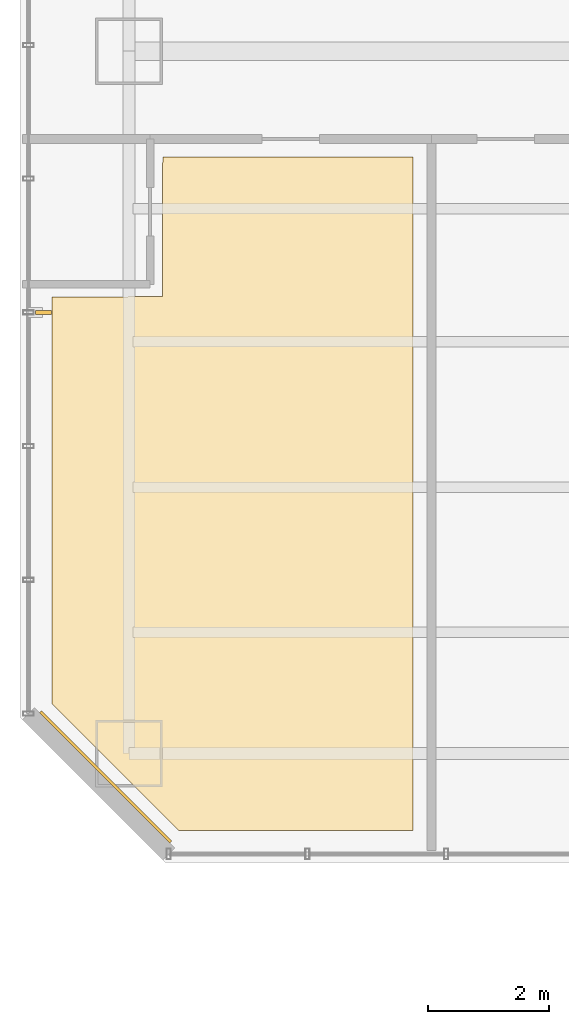
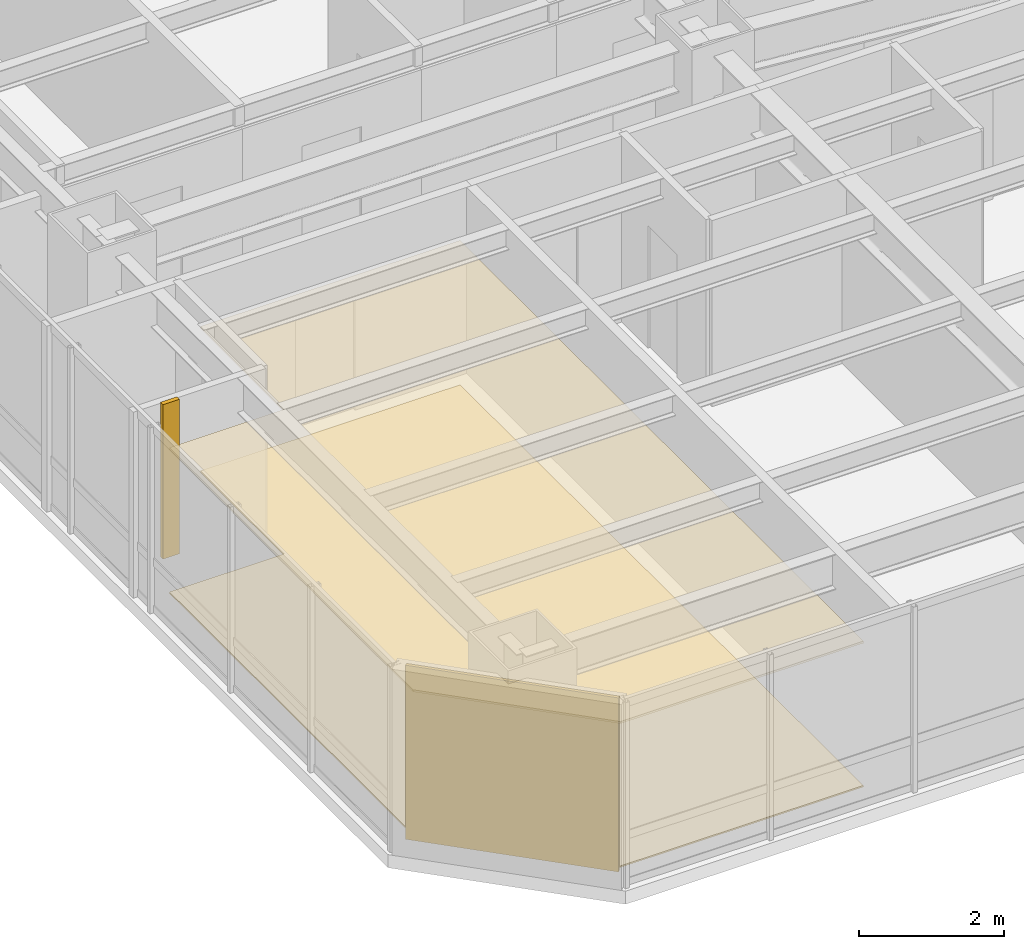
# One storey, part 32 of 38: 3 coverings, 1 shading device.
"""IFC4 building model written with IfcOpenShell, lengths in metres."""

from ifc_helpers import new_model, si_unit, direction, frame, origin, origin_2d, place, context, subcontext, project, spatial, polyline, rectangle, outline, extrude, material, layer, layer_set, type_object, element, save


model = new_model("IFC4")

# Units and contexts
model_context = context("Model", 3, precision=1e-05, world=origin(), true_north=direction((0.0, 1.0)))
body_context = subcontext(model_context, "Body", "Model", "MODEL_VIEW")
ifc_project = project(units=[si_unit("LENGTHUNIT", "METRE"), si_unit("AREAUNIT", "SQUARE_METRE"), si_unit("VOLUMEUNIT", "CUBIC_METRE"), si_unit("PLANEANGLEUNIT", "RADIAN"), si_unit("MASSUNIT", "GRAM", prefix="KILO")], contexts=[model_context])

# Site, building, storey
site_placement = place(None, origin())
site = spatial("IfcSite", under=ifc_project, at=site_placement, CompositionType="ELEMENT")
building_placement = place(site_placement, origin())
building = spatial("IfcBuilding", under=site, at=building_placement, Name="Hatsunagi Terrace Concourse", CompositionType="ELEMENT")
storey_placement = place(building_placement, frame((0.0, 0.0, 60.050048828125)))
storey = spatial("IfcBuildingStorey", under=building, at=storey_placement, Name="L15", CompositionType="ELEMENT", Elevation=60.050048828125)

# Covering
ifc_material_1 = material(Name="Granite stone paving", Category="masonry")
ifc_layer_1 = layer(ifc_material_1, 0.02490234375)
ifc_layer_set_1 = layer_set([ifc_layer_1], Name="GraniteStoneFlooring_25")
covering_type_1 = type_object("IfcCoveringType", Name="GraniteStoneFlooring_25", PredefinedType="FLOORING", material=ifc_layer_set_1)
covering_1_placement = place(storey_placement, origin())
element("IfcCovering", 1, at=covering_1_placement, inside=storey, type_object=covering_type_1, Name="Finished Flooring L15-2", PredefinedType="FLOORING", context=body_context, shape_type="SweptSolid", body=[
    extrude(outline(polyline([(2.6201171875, 23.929931640625), (6.489990234375, 23.929931640625), (6.489990234375, 35.050048828125), (2.35791015625, 35.050048828125), (2.35595703125, 32.7451171875), (0.530029296875, 32.741943359375), (0.530029296875, 26.02001953125), (2.6201171875, 23.929931640625)])), origin(), (0.0, 0.0, 1.0), 0.02490234375),
])

# Shading device
ifc_material_2 = material(Name="Extruded Unglazed Terracotta Baguette", Category="masonry")
shading_device_type = type_object("IfcShadingDeviceType", Name="TerracottaFinScreen_260x70", PredefinedType="USERDEFINED", material=ifc_material_2)
shading_device_placement = place(storey_placement, frame((0.389892578125, 32.48291015625, 0.849853515625), z_axis=(0.0, 0.0, 1.0), x_axis=(0.0, 1.0, 0.0)))
element("IfcShadingDevice", 2, at=shading_device_placement, inside=storey, type_object=shading_device_type, Name="Terracotta Baguette Fin Screen SCR-01", ObjectType="SUNSHADE", PredefinedType="USERDEFINED", context=body_context, shape_type="SweptSolid", body=[
    extrude(rectangle(XDim=0.070068359375, YDim=0.260009765625, at=origin_2d()), origin(), (0.0, 0.0, 1.0), 2.60009765625),
])

# Coverings
ifc_material_3 = material(Name="Unglazed Warm Terracotta Rainscreen Tile", Category="masonry")
ifc_layer_2 = layer(ifc_material_3, 0.044921875)
ifc_layer_set_2 = layer_set([ifc_layer_2], Name="TerracottaRainscreenCladding_45")
covering_type_2 = type_object("IfcCoveringType", Name="TerracottaRainscreenCladding_45", PredefinedType="CLADDING", material=ifc_layer_set_2)
covering_2_placement = place(storey_placement, frame((1.4140625, 24.81396484375, 0.10009765625), z_axis=(0.0, 0.0, 1.0), x_axis=(-0.707106781187, 0.707106781187, 0.0)))
element("IfcCovering", 3, at=covering_2_placement, inside=storey, type_object=covering_type_2, Name="Terracotta Rainscreen Cladding L15-08", PredefinedType="CLADDING", context=body_context, shape_type="SweptSolid", body=[
    extrude(rectangle(XDim=3.0380859375, YDim=0.044921875, at=origin_2d()), origin(), (0.0, 0.0, 1.0), 2.929931640625),
])
ifc_material_4 = material(Name="Hardwood timber", Category="wood")
ifc_layer_3 = layer(ifc_material_4, 0.034912109375)
ifc_layer_set_3 = layer_set([ifc_layer_3], Name="TimberBaffleCeiling_35")
covering_type_3 = type_object("IfcCoveringType", Name="TimberBaffleCeiling_35", PredefinedType="CEILING", material=ifc_layer_set_3)
covering_3_placement = place(storey_placement, frame((0.0, 0.0, 2.419921875)))
element("IfcCovering", 4, at=covering_3_placement, inside=storey, type_object=covering_type_3, Name="Suspended Ceiling L15-2", PredefinedType="CEILING", context=body_context, shape_type="SweptSolid", body=[
    extrude(outline(polyline([(2.6201171875, 23.929931640625), (6.489990234375, 23.929931640625), (6.489990234375, 35.050048828125), (2.35791015625, 35.050048828125), (2.35595703125, 32.7451171875), (0.530029296875, 32.741943359375), (0.530029296875, 26.02001953125), (2.6201171875, 23.929931640625)])), origin(), (0.0, 0.0, 1.0), 0.034912109375),
])

save(model, "model.ifc")
